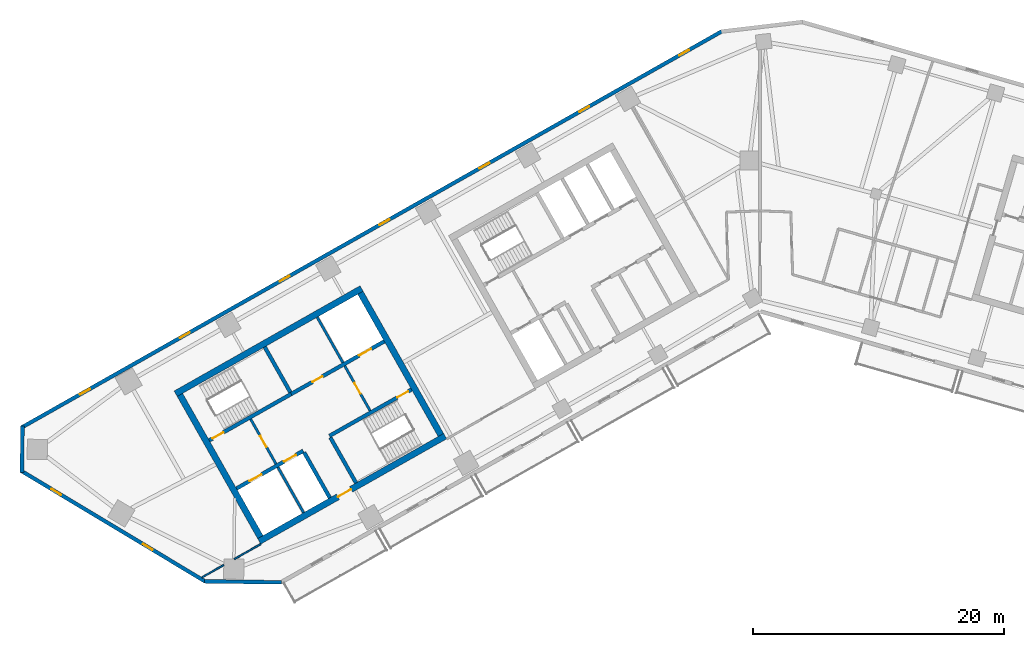
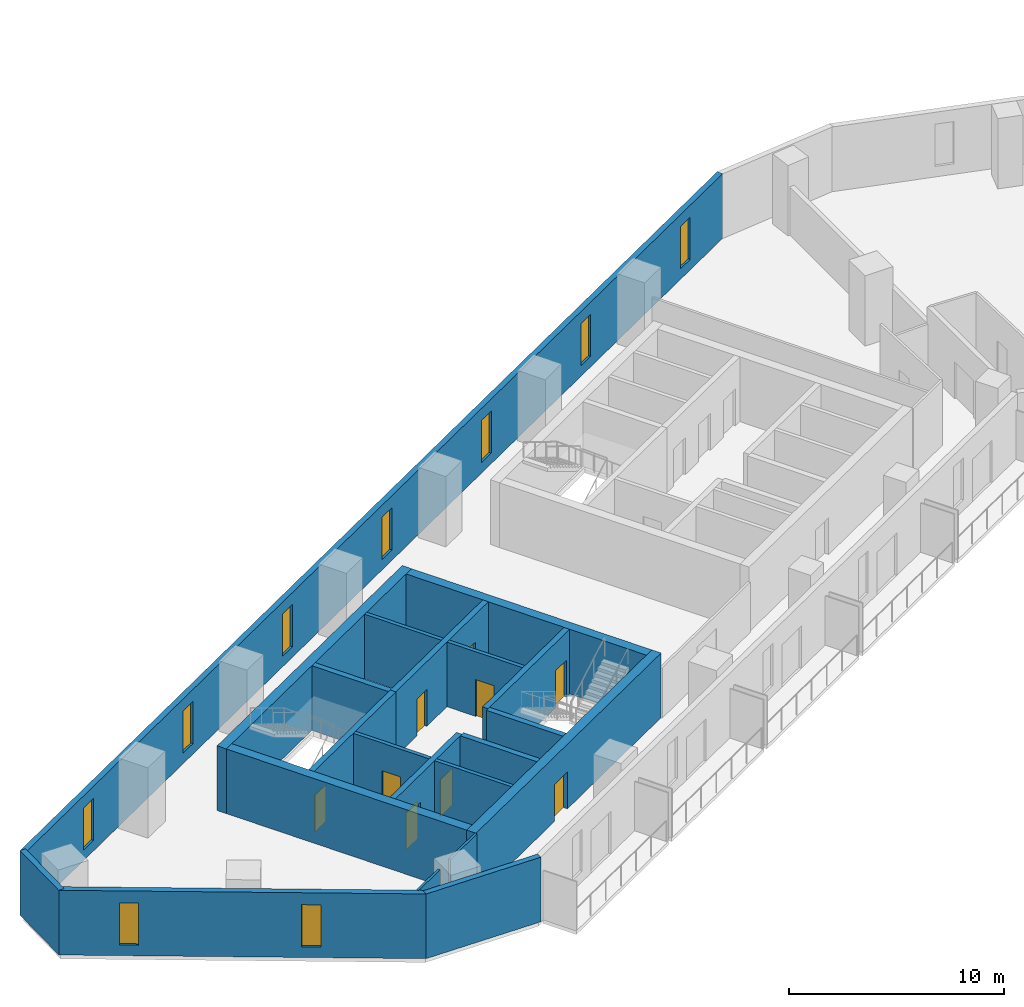
# One storey, part 3 of 9: 21 walls, 9 doors, 9 windows, 18 openings.
"""IFC4 building model written with IfcOpenShell, lengths in metres."""

from ifc_helpers import new_model, si_unit, direction, frame, frame_2d, origin, place, context, subcontext, project, spatial, rectangle, extrude, material, layer, layer_set, type_object, element, fill, save


model = new_model("IFC4")

# Units and contexts
model_context = context("Model", 3, precision=1e-05, world=origin(), true_north=direction((0.0, 1.0)))
body_context = subcontext(model_context, "Body", "Model", "MODEL_VIEW")
ifc_project = project(units=[si_unit("LENGTHUNIT", "METRE"), si_unit("AREAUNIT", "SQUARE_METRE"), si_unit("VOLUMEUNIT", "CUBIC_METRE"), si_unit("PLANEANGLEUNIT", "RADIAN"), si_unit("MASSUNIT", "GRAM", prefix="KILO")], contexts=[model_context])

# Site, building, storey
site_placement = place(None, origin())
site = spatial("IfcSite", under=ifc_project, at=site_placement, CompositionType="ELEMENT")
building_placement = place(site_placement, origin())
building = spatial("IfcBuilding", under=site, at=building_placement, Name="Binnacle Exchange Tower", CompositionType="ELEMENT")
storey_placement = place(building_placement, frame((0.0, 0.0, 190.89990234375)))
storey = spatial("IfcBuildingStorey", under=building, at=storey_placement, Name="L41", CompositionType="ELEMENT", Elevation=190.89990234375)

# Wall, openings, doors
ifc_material_1 = material(Name="Concrete C70/85", Category="concrete")
ifc_layer_1 = layer(ifc_material_1, 0.300048828125)
ifc_layer_set_1 = layer_set([ifc_layer_1], Name="Core wall - front 300")
wall_type_1 = type_object("IfcWallType", Name="Core wall - front 300", PredefinedType="SOLIDWALL", material=ifc_layer_set_1)
wall_1_placement = place(storey_placement, frame((-41.64306640625, 33.91162109375, 0.0), z_axis=(0.0, 0.0, 1.0), x_axis=(0.870343599782, 0.492444939378, 0.0)))
wall_1 = element("IfcWall", 1, at=wall_1_placement, inside=storey, type_object=wall_type_1, Name="Core wall CRWA2", PredefinedType="SOLIDWALL", context=body_context, shape_type="SweptSolid", body=[
    extrude(rectangle(XDim=6.10009765625, YDim=0.300048828125, at=frame_2d((3.050048828125, 0.0))), origin(), (0.0, 0.0, 1.0), 3.68017578125),
])
opening_1_placement = place(wall_1_placement, frame((1.199951171875, 0.0, 0.0)))
opening_1 = element("IfcOpeningElement", 2, at=opening_1_placement, cuts=wall_1, Name="Opening LD12", PredefinedType="OPENING", context=body_context, shape_type="SweptSolid", body=[
    extrude(rectangle(XDim=1.10009765625, YDim=2.10009765625, at=frame_2d((0.550048828125, 1.050048828125))), frame((0.0, 0.159912109375, 0.0), z_axis=(0.0, -1.0, 0.0), x_axis=(1.0, 0.0, 0.0)), (0.0, 0.0, 1.0), 0.320068359375),
])
opening_2_placement = place(wall_1_placement, frame((4.35009765625, 0.0, 0.0)))
opening_2 = element("IfcOpeningElement", 3, at=opening_2_placement, cuts=wall_1, Name="Opening LD8", PredefinedType="OPENING", context=body_context, shape_type="SweptSolid", body=[
    extrude(rectangle(XDim=1.10009765625, YDim=2.10009765625, at=frame_2d((0.550048828125, 1.050048828125))), frame((0.0, 0.159912109375, 0.0), z_axis=(0.0, -1.0, 0.0), x_axis=(1.0, 0.0, 0.0)), (0.0, 0.0, 1.0), 0.320068359375),
])
ifc_material_2 = material(Name="Steel door leaf", Category="steel")
door_type_1 = type_object("IfcDoorType", Name="Fire door - lift landing 1100", OperationType="NOTDEFINED", PredefinedType="DOOR", material=ifc_material_2)
door_1_placement = place(opening_1_placement, origin())
door_1 = element("IfcDoor", 4, at=door_1_placement, inside=storey, type_object=door_type_1, Name="Landing door LD12 L41", OperationType="DOUBLE_DOOR_SLIDING", OverallHeight=2.10009765625, OverallWidth=1.10009765625, PredefinedType="DOOR", context=body_context, shape_type="SweptSolid", body=[
    extrude(rectangle(XDim=1.10009765625, YDim=2.10009765625, at=frame_2d((0.550048828125, 1.050048828125))), frame((0.0, 0.02490234375, 0.0), z_axis=(0.0, -1.0, 0.0), x_axis=(1.0, 0.0, 0.0)), (0.0, 0.0, 1.0), 0.050048828125),
])
fill(opening_1, door_1)
door_2_placement = place(opening_2_placement, origin())
door_2 = element("IfcDoor", 5, at=door_2_placement, inside=storey, type_object=door_type_1, Name="Landing door LD8 L41", OperationType="DOUBLE_DOOR_SLIDING", OverallHeight=2.10009765625, OverallWidth=1.10009765625, PredefinedType="DOOR", context=body_context, shape_type="SweptSolid", body=[
    extrude(rectangle(XDim=1.10009765625, YDim=2.10009765625, at=frame_2d((0.550048828125, 1.050048828125))), frame((0.0, 0.02490234375, 0.0), z_axis=(0.0, -1.0, 0.0), x_axis=(1.0, 0.0, 0.0)), (0.0, 0.0, 1.0), 0.050048828125),
])
fill(opening_2, door_2)

wall_2_placement = place(storey_placement, frame((-37.281982421875, 41.4345703125, 0.0), z_axis=(0.0, 0.0, 1.0), x_axis=(0.870356271124, 0.492422543467, 0.0)))
wall_2 = element("IfcWall", 6, at=wall_2_placement, inside=storey, type_object=wall_type_1, Name="Core wall CRWA5", PredefinedType="SOLIDWALL", context=body_context, shape_type="SweptSolid", body=[
    extrude(rectangle(XDim=8.5, YDim=0.300048828125, at=frame_2d((4.25, 0.0))), origin(), (0.0, 0.0, 1.0), 3.68017578125),
])
opening_3_placement = place(wall_2_placement, frame((6.199951171875, 0.0, 0.0)))
opening_3 = element("IfcOpeningElement", 7, at=opening_3_placement, cuts=wall_2, Name="Opening LD13", PredefinedType="OPENING", context=body_context, shape_type="SweptSolid", body=[
    extrude(rectangle(XDim=1.10009765625, YDim=2.10009765625, at=frame_2d((0.550048828125, 1.050048828125))), frame((0.0, 0.159912109375, 0.0), z_axis=(0.0, -1.0, 0.0), x_axis=(1.0, 0.0, 0.0)), (0.0, 0.0, 1.0), 0.320068359375),
])
opening_4_placement = place(wall_2_placement, frame((1.949951171875, 0.0, 0.0)))
opening_4 = element("IfcOpeningElement", 8, at=opening_4_placement, cuts=wall_2, Name="Opening DA10", PredefinedType="OPENING", context=body_context, shape_type="SweptSolid", body=[
    extrude(rectangle(XDim=0.89990234375, YDim=2.10009765625, at=frame_2d((0.449951171875, 1.050048828125))), frame((0.0, 0.159912109375, 0.0), z_axis=(0.0, -1.0, 0.0), x_axis=(1.0, 0.0, 0.0)), (0.0, 0.0, 1.0), 0.320068359375),
])
door_3_placement = place(opening_3_placement, origin())
door_3 = element("IfcDoor", 9, at=door_3_placement, inside=storey, type_object=door_type_1, Name="Landing door LD13 L41", OperationType="DOUBLE_DOOR_SLIDING", OverallHeight=2.10009765625, OverallWidth=1.10009765625, PredefinedType="DOOR", context=body_context, shape_type="SweptSolid", body=[
    extrude(rectangle(XDim=1.10009765625, YDim=2.10009765625, at=frame_2d((0.550048828125, 1.050048828125))), frame((0.0, 0.02490234375, 0.0), z_axis=(0.0, -1.0, 0.0), x_axis=(1.0, 0.0, 0.0)), (0.0, 0.0, 1.0), 0.050048828125),
])
fill(opening_3, door_3)
door_type_2 = type_object("IfcDoorType", Name="Fire door 900", OperationType="NOTDEFINED", PredefinedType="DOOR", material=ifc_material_2)
door_4_placement = place(opening_4_placement, origin())
door_4 = element("IfcDoor", 10, at=door_4_placement, inside=storey, type_object=door_type_2, Name="Core room door LINEN AND SUPPLIES STORE", OperationType="SINGLE_SWING_LEFT", OverallHeight=2.10009765625, OverallWidth=0.89990234375, PredefinedType="DOOR", context=body_context, shape_type="SweptSolid", body=[
    extrude(rectangle(XDim=0.89990234375, YDim=2.10009765625, at=frame_2d((0.449951171875, 1.050048828125))), frame((0.0, 0.02490234375, 0.0), z_axis=(0.0, -1.0, 0.0), x_axis=(1.0, 0.0, 0.0)), (0.0, 0.0, 1.0), 0.050048828125),
])
fill(opening_4, door_4)

# Wall
wall_3_placement = place(storey_placement, frame((-36.260009765625, 36.784912109375, 0.0), z_axis=(0.0, 0.0, 1.0), x_axis=(0.492421666909, -0.870356767055, 0.0)))
element("IfcWall", 11, at=wall_3_placement, inside=storey, type_object=wall_type_1, Name="Core wall CRWA13", PredefinedType="SOLIDWALL", context=body_context, shape_type="SweptSolid", body=[
    extrude(rectangle(XDim=4.14990234375, YDim=0.300048828125, at=frame_2d((2.074951171875, 0.0))), origin(), (0.0, 0.0, 1.0), 3.68017578125),
])

# Wall, opening, door
ifc_layer_2 = layer(ifc_material_1, 0.5)
ifc_layer_set_2 = layer_set([ifc_layer_2], Name="Core wall - outer 500")
wall_type_2 = type_object("IfcWallType", Name="Core wall - outer 500", PredefinedType="SOLIDWALL", material=ifc_layer_set_2)
wall_4_placement = place(storey_placement, frame((-39.837646484375, 29.705322265625, 0.0), z_axis=(0.0, 0.0, 1.0), x_axis=(0.870350116061, 0.492433422375, 0.0)))
wall_4 = element("IfcWall", 12, at=wall_4_placement, inside=storey, type_object=wall_type_2, Name="Core wall CRWA1", PredefinedType="SOLIDWALL", context=body_context, shape_type="SweptSolid", body=[
    extrude(rectangle(XDim=17.0, YDim=0.5, at=frame_2d((8.5, 0.0))), origin(), (0.0, 0.0, 1.0), 3.68017578125),
])
opening_5_placement = place(wall_4_placement, frame((7.199951171875, 0.0, 0.0)))
opening_5 = element("IfcOpeningElement", 13, at=opening_5_placement, cuts=wall_4, Name="Opening DA7", PredefinedType="OPENING", context=body_context, shape_type="SweptSolid", body=[
    extrude(rectangle(XDim=1.199951171875, YDim=2.10009765625, at=frame_2d((0.60009765625, 1.050048828125))), frame((0.0, 0.260009765625, 0.0), z_axis=(0.0, -1.0, 0.0), x_axis=(1.0, 0.0, 0.0)), (0.0, 0.0, 1.0), 0.52001953125),
])
door_type_3 = type_object("IfcDoorType", Name="Fire door 1200", OperationType="NOTDEFINED", PredefinedType="DOOR", material=ifc_material_2)
door_5_placement = place(opening_5_placement, frame((1.199951171875, 0.0, 0.0), z_axis=(0.0, 0.0, 1.0), x_axis=(-1.0, 0.0, 0.0)))
door_5 = element("IfcDoor", 14, at=door_5_placement, inside=storey, type_object=door_type_3, Name="Lift lobby entrance door core A", OperationType="SINGLE_SWING_RIGHT", OverallHeight=2.10009765625, OverallWidth=1.199951171875, PredefinedType="DOOR", context=body_context, shape_type="SweptSolid", body=[
    extrude(rectangle(XDim=1.199951171875, YDim=2.10009765625, at=frame_2d((0.60009765625, 1.050048828125))), frame((0.0, 0.02490234375, 0.0), z_axis=(0.0, -1.0, 0.0), x_axis=(1.0, 0.0, 0.0)), (0.0, 0.0, 1.0), 0.050048828125),
])
fill(opening_5, door_5)

# Walls
wall_5_placement = place(storey_placement, frame((-46.485595703125, 41.455078125, 0.0), z_axis=(0.0, 0.0, 1.0), x_axis=(0.870353598469, 0.492427267353, 0.0)))
element("IfcWall", 15, at=wall_5_placement, inside=storey, type_object=wall_type_2, Name="Core wall CRWA6", PredefinedType="SOLIDWALL", context=body_context, shape_type="SweptSolid", body=[
    extrude(rectangle(XDim=17.000244140625, YDim=0.5, at=frame_2d((8.5, 0.0))), origin(), (0.0, 0.0, 1.0), 3.68017578125),
])
for number, where, z_axis, x_axis, name in (
    (16, (-46.144775390625, 41.360595703125, 0.0), (0.0, 0.0, 1.0), (0.492435316254, -0.870349044525, 0.0), "Core wall CRWA7"),
    (17, (-31.783935546875, 49.485595703125, 0.0), (0.0, 0.0, 1.0), (0.492435316254, -0.870349044525, 0.0), "Core wall CRWA22"),
):
    element("IfcWall", number, at=place(storey_placement, frame(where, z_axis=z_axis, x_axis=x_axis)), inside=storey, type_object=wall_type_2, Name=name, PredefinedType="SOLIDWALL", context=body_context, shape_type="SweptSolid", body=[
        extrude(rectangle(XDim=13.0, YDim=0.5, at=frame_2d((6.5, 0.0))), origin(), (0.0, 0.0, 1.0), 3.68017578125),
    ])

# Wall, opening, door
ifc_layer_3 = layer(ifc_material_1, 0.300048828125)
ifc_layer_set_3 = layer_set([ifc_layer_3], Name="Core wall - stair 300")
wall_type_3 = type_object("IfcWallType", Name="Core wall - stair 300", PredefinedType="SOLIDWALL", material=ifc_layer_set_3)
wall_6_placement = place(storey_placement, frame((-34.2451171875, 38.097412109375, 0.0), z_axis=(0.0, 0.0, 1.0), x_axis=(0.870364520461, 0.492407962489, 0.0)))
wall_6 = element("IfcWall", 18, at=wall_6_placement, inside=storey, type_object=wall_type_3, Name="Core wall CRWA3", PredefinedType="SOLIDWALL", context=body_context, shape_type="SweptSolid", body=[
    extrude(rectangle(XDim=7.5, YDim=0.300048828125, at=frame_2d((3.75, 0.0))), origin(), (0.0, 0.0, 1.0), 3.68017578125),
])
opening_6_placement = place(wall_6_placement, frame((6.199951171875, 0.0, 0.0)))
opening_6 = element("IfcOpeningElement", 19, at=opening_6_placement, cuts=wall_6, Name="Opening DA2", PredefinedType="OPENING", context=body_context, shape_type="SweptSolid", body=[
    extrude(rectangle(XDim=1.0, YDim=2.10009765625, at=frame_2d((0.5, 1.050048828125))), frame((0.0, 0.159912109375, 0.0), z_axis=(0.0, -1.0, 0.0), x_axis=(1.0, 0.0, 0.0)), (0.0, 0.0, 1.0), 0.320068359375),
])
door_type_4 = type_object("IfcDoorType", Name="Fire door 1000", OperationType="NOTDEFINED", PredefinedType="DOOR", material=ifc_material_2)
door_6_placement = place(opening_6_placement, frame((1.0, 0.0, 0.0), z_axis=(0.0, 0.0, 1.0), x_axis=(-1.0, 0.0, 0.0)))
door_6 = element("IfcDoor", 20, at=door_6_placement, inside=storey, type_object=door_type_4, Name="Stair door ST-A2", OperationType="SINGLE_SWING_LEFT", OverallHeight=2.10009765625, OverallWidth=1.0, PredefinedType="DOOR", context=body_context, shape_type="SweptSolid", body=[
    extrude(rectangle(XDim=1.0, YDim=2.10009765625, at=frame_2d((0.5, 1.050048828125))), frame((0.0, 0.02490234375, 0.0), z_axis=(0.0, -1.0, 0.0), x_axis=(1.0, 0.0, 0.0)), (0.0, 0.0, 1.0), 0.050048828125),
])
fill(opening_6, door_6)

wall_7_placement = place(storey_placement, frame((-43.809814453125, 37.7412109375, 0.0), z_axis=(0.0, 0.0, 1.0), x_axis=(0.870350569555, 0.492432620848, 0.0)))
wall_7 = element("IfcWall", 21, at=wall_7_placement, inside=storey, type_object=wall_type_3, Name="Core wall CRWA4", PredefinedType="SOLIDWALL", context=body_context, shape_type="SweptSolid", body=[
    extrude(rectangle(XDim=7.500244140625, YDim=0.300048828125, at=frame_2d((3.75, 0.0))), origin(), (0.0, 0.0, 1.0), 3.68017578125),
])
opening_7_placement = place(wall_7_placement, frame((0.2998046875, 0.0, 0.0)))
opening_7 = element("IfcOpeningElement", 22, at=opening_7_placement, cuts=wall_7, Name="Opening DA1", PredefinedType="OPENING", context=body_context, shape_type="SweptSolid", body=[
    extrude(rectangle(XDim=1.0, YDim=2.10009765625, at=frame_2d((0.5, 1.050048828125))), frame((0.0, 0.159912109375, 0.0), z_axis=(0.0, -1.0, 0.0), x_axis=(1.0, 0.0, 0.0)), (0.0, 0.0, 1.0), 0.320068359375),
])
door_7_placement = place(opening_7_placement, origin())
door_7 = element("IfcDoor", 23, at=door_7_placement, inside=storey, type_object=door_type_4, Name="Stair door ST-A1", OperationType="SINGLE_SWING_LEFT", OverallHeight=2.10009765625, OverallWidth=1.0, PredefinedType="DOOR", context=body_context, shape_type="SweptSolid", body=[
    extrude(rectangle(XDim=1.0, YDim=2.10009765625, at=frame_2d((0.5, 1.050048828125))), frame((0.0, 0.02490234375, 0.0), z_axis=(0.0, -1.0, 0.0), x_axis=(1.0, 0.0, 0.0)), (0.0, 0.0, 1.0), 0.050048828125),
])
fill(opening_7, door_7)

# Walls
for number, where, z_axis, x_axis, name in (
    (24, (-39.3994140625, 45.177001953125, 0.0), (0.0, 0.0, 1.0), (0.492396453737, -0.870371031427, 0.0), "Core wall CRWA14"),
    (25, (-34.171142578125, 37.966796875, 0.0), (0.0, 0.0, 1.0), (0.492396453737, -0.870371031427, 0.0), "Core wall CRWA16"),
):
    element("IfcWall", number, at=place(storey_placement, frame(where, z_axis=z_axis, x_axis=x_axis)), inside=storey, type_object=wall_type_3, Name=name, PredefinedType="SOLIDWALL", context=body_context, shape_type="SweptSolid", body=[
        extrude(rectangle(XDim=4.14990234375, YDim=0.300048828125, at=frame_2d((2.074951171875, 0.0))), origin(), (0.0, 0.0, 1.0), 3.68017578125),
    ])
ifc_material_3 = material(Name="Bronze aluminium cladding", Category="aluminium")
ifc_layer_4 = layer(ifc_material_3, 0.300048828125)
ifc_layer_set_4 = layer_set([ifc_layer_4], Name="External wall - spandrel 300")
wall_type_4 = type_object("IfcWallType", Name="External wall - spandrel 300", PredefinedType="STANDARD", material=ifc_layer_set_4)
wall_8_placement = place(storey_placement, frame((-38.057373046875, 26.44482421875, 0.0), z_axis=(0.0, 0.0, 1.0), x_axis=(-0.999914086342, 0.013108010296, 0.0)))
element("IfcWall", 26, at=wall_8_placement, inside=storey, type_object=wall_type_4, Name="External wall EW-G00 L41", PredefinedType="STANDARD", context=body_context, shape_type="SweptSolid", body=[
    extrude(rectangle(XDim=6.127685546875, YDim=0.300048828125, at=frame_2d((3.06396484375, 0.0))), origin(), (0.0, 0.0, 1.0), 3.68017578125),
])

# Wall, openings, windows
wall_9_placement = place(storey_placement, frame((-58.744873046875, 38.763671875, 0.0), z_axis=(0.0, 0.0, 1.0), x_axis=(0.870355811726, 0.492423355453, 0.0)))
wall_9 = element("IfcWall", 27, at=wall_9_placement, inside=storey, type_object=wall_type_4, Name="External wall EW-G08 L41", PredefinedType="STANDARD", context=body_context, shape_type="SweptSolid", body=[
    extrude(rectangle(XDim=64.025390625, YDim=0.300048828125, at=frame_2d((32.0126953125, 0.0))), origin(), (0.0, 0.0, 1.0), 3.68017578125),
])
opening_8_placement = place(wall_9_placement, frame((60.12158203125, 0.0, 0.60009765625)))
opening_8 = element("IfcOpeningElement", 28, at=opening_8_placement, cuts=wall_9, Name="Opening WS3", PredefinedType="OPENING", context=body_context, shape_type="SweptSolid", body=[
    extrude(rectangle(XDim=0.89990234375, YDim=2.39990234375, at=frame_2d((0.449951171875, 1.199951171875))), frame((0.0, 0.159912109375, 0.0), z_axis=(0.0, -1.0, 0.0), x_axis=(1.0, 0.0, 0.0)), (0.0, 0.0, 1.0), 0.320068359375),
])
opening_9_placement = place(wall_9_placement, frame((50.99169921875, 0.0, 0.60009765625)))
opening_9 = element("IfcOpeningElement", 29, at=opening_9_placement, cuts=wall_9, Name="Opening WS3", PredefinedType="OPENING", context=body_context, shape_type="SweptSolid", body=[
    extrude(rectangle(XDim=0.89990234375, YDim=2.39990234375, at=frame_2d((0.449951171875, 1.199951171875))), frame((0.0, 0.159912109375, 0.0), z_axis=(0.0, -1.0, 0.0), x_axis=(1.0, 0.0, 0.0)), (0.0, 0.0, 1.0), 0.320068359375),
])
opening_10_placement = place(wall_9_placement, frame((41.86181640625, 0.0, 0.60009765625)))
opening_10 = element("IfcOpeningElement", 30, at=opening_10_placement, cuts=wall_9, Name="Opening WS3", PredefinedType="OPENING", context=body_context, shape_type="SweptSolid", body=[
    extrude(rectangle(XDim=0.89990234375, YDim=2.39990234375, at=frame_2d((0.449951171875, 1.199951171875))), frame((0.0, 0.159912109375, 0.0), z_axis=(0.0, -1.0, 0.0), x_axis=(1.0, 0.0, 0.0)), (0.0, 0.0, 1.0), 0.320068359375),
])
opening_11_placement = place(wall_9_placement, frame((32.73193359375, 0.0, 0.60009765625)))
opening_11 = element("IfcOpeningElement", 31, at=opening_11_placement, cuts=wall_9, Name="Opening WS3", PredefinedType="OPENING", context=body_context, shape_type="SweptSolid", body=[
    extrude(rectangle(XDim=0.89990234375, YDim=2.39990234375, at=frame_2d((0.449951171875, 1.199951171875))), frame((0.0, 0.159912109375, 0.0), z_axis=(0.0, -1.0, 0.0), x_axis=(1.0, 0.0, 0.0)), (0.0, 0.0, 1.0), 0.320068359375),
])
opening_12_placement = place(wall_9_placement, frame((23.60205078125, 0.0, 0.60009765625)))
opening_12 = element("IfcOpeningElement", 32, at=opening_12_placement, cuts=wall_9, Name="Opening WS3", PredefinedType="OPENING", context=body_context, shape_type="SweptSolid", body=[
    extrude(rectangle(XDim=0.89990234375, YDim=2.39990234375, at=frame_2d((0.449951171875, 1.199951171875))), frame((0.0, 0.159912109375, 0.0), z_axis=(0.0, -1.0, 0.0), x_axis=(1.0, 0.0, 0.0)), (0.0, 0.0, 1.0), 0.320068359375),
])
opening_13_placement = place(wall_9_placement, frame((14.47216796875, 0.0, 0.60009765625)))
opening_13 = element("IfcOpeningElement", 33, at=opening_13_placement, cuts=wall_9, Name="Opening WS3", PredefinedType="OPENING", context=body_context, shape_type="SweptSolid", body=[
    extrude(rectangle(XDim=0.89990234375, YDim=2.39990234375, at=frame_2d((0.449951171875, 1.199951171875))), frame((0.0, 0.159912109375, 0.0), z_axis=(0.0, -1.0, 0.0), x_axis=(1.0, 0.0, 0.0)), (0.0, 0.0, 1.0), 0.320068359375),
])
opening_14_placement = place(wall_9_placement, frame((5.34228515625, 0.0, 0.60009765625)))
opening_14 = element("IfcOpeningElement", 34, at=opening_14_placement, cuts=wall_9, Name="Opening WS3", PredefinedType="OPENING", context=body_context, shape_type="SweptSolid", body=[
    extrude(rectangle(XDim=0.89990234375, YDim=2.39990234375, at=frame_2d((0.449951171875, 1.199951171875))), frame((0.0, 0.159912109375, 0.0), z_axis=(0.0, -1.0, 0.0), x_axis=(1.0, 0.0, 0.0)), (0.0, 0.0, 1.0), 0.320068359375),
])
ifc_material_4 = material(Name="Bronze anodised aluminium frame", Category="aluminium")
window_type = type_object("IfcWindowType", Name="WS3 WINDOW 900x2400", PartitioningType="SINGLE_PANEL", PredefinedType="WINDOW", material=ifc_material_4)
window_1_placement = place(opening_8_placement, origin())
window_1 = element("IfcWindow", 35, at=window_1_placement, inside=storey, type_object=window_type, Name="Window WS3 L41", OverallHeight=2.39990234375, OverallWidth=0.89990234375, PartitioningType="SINGLE_PANEL", PredefinedType="WINDOW", context=body_context, shape_type="SweptSolid", body=[
    extrude(rectangle(XDim=0.89990234375, YDim=2.39990234375, at=frame_2d((0.449951171875, 1.199951171875))), frame((0.0, 0.030029296875, 0.0), z_axis=(0.0, -1.0, 0.0), x_axis=(1.0, 0.0, 0.0)), (0.0, 0.0, 1.0), 0.06005859375),
])
fill(opening_8, window_1)
window_2_placement = place(opening_9_placement, origin())
window_2 = element("IfcWindow", 36, at=window_2_placement, inside=storey, type_object=window_type, Name="Window WS3 L41", OverallHeight=2.39990234375, OverallWidth=0.89990234375, PartitioningType="SINGLE_PANEL", PredefinedType="WINDOW", context=body_context, shape_type="SweptSolid", body=[
    extrude(rectangle(XDim=0.89990234375, YDim=2.39990234375, at=frame_2d((0.449951171875, 1.199951171875))), frame((0.0, 0.030029296875, 0.0), z_axis=(0.0, -1.0, 0.0), x_axis=(1.0, 0.0, 0.0)), (0.0, 0.0, 1.0), 0.06005859375),
])
fill(opening_9, window_2)
window_3_placement = place(opening_10_placement, origin())
window_3 = element("IfcWindow", 37, at=window_3_placement, inside=storey, type_object=window_type, Name="Window WS3 L41", OverallHeight=2.39990234375, OverallWidth=0.89990234375, PartitioningType="SINGLE_PANEL", PredefinedType="WINDOW", context=body_context, shape_type="SweptSolid", body=[
    extrude(rectangle(XDim=0.89990234375, YDim=2.39990234375, at=frame_2d((0.449951171875, 1.199951171875))), frame((0.0, 0.030029296875, 0.0), z_axis=(0.0, -1.0, 0.0), x_axis=(1.0, 0.0, 0.0)), (0.0, 0.0, 1.0), 0.06005859375),
])
fill(opening_10, window_3)
window_4_placement = place(opening_11_placement, origin())
window_4 = element("IfcWindow", 38, at=window_4_placement, inside=storey, type_object=window_type, Name="Window WS3 L41", OverallHeight=2.39990234375, OverallWidth=0.89990234375, PartitioningType="SINGLE_PANEL", PredefinedType="WINDOW", context=body_context, shape_type="SweptSolid", body=[
    extrude(rectangle(XDim=0.89990234375, YDim=2.39990234375, at=frame_2d((0.449951171875, 1.199951171875))), frame((0.0, 0.030029296875, 0.0), z_axis=(0.0, -1.0, 0.0), x_axis=(1.0, 0.0, 0.0)), (0.0, 0.0, 1.0), 0.06005859375),
])
fill(opening_11, window_4)
window_5_placement = place(opening_12_placement, origin())
window_5 = element("IfcWindow", 39, at=window_5_placement, inside=storey, type_object=window_type, Name="Window WS3 L41", OverallHeight=2.39990234375, OverallWidth=0.89990234375, PartitioningType="SINGLE_PANEL", PredefinedType="WINDOW", context=body_context, shape_type="SweptSolid", body=[
    extrude(rectangle(XDim=0.89990234375, YDim=2.39990234375, at=frame_2d((0.449951171875, 1.199951171875))), frame((0.0, 0.030029296875, 0.0), z_axis=(0.0, -1.0, 0.0), x_axis=(1.0, 0.0, 0.0)), (0.0, 0.0, 1.0), 0.06005859375),
])
fill(opening_12, window_5)
window_6_placement = place(opening_13_placement, origin())
window_6 = element("IfcWindow", 40, at=window_6_placement, inside=storey, type_object=window_type, Name="Window WS3 L41", OverallHeight=2.39990234375, OverallWidth=0.89990234375, PartitioningType="SINGLE_PANEL", PredefinedType="WINDOW", context=body_context, shape_type="SweptSolid", body=[
    extrude(rectangle(XDim=0.89990234375, YDim=2.39990234375, at=frame_2d((0.449951171875, 1.199951171875))), frame((0.0, 0.030029296875, 0.0), z_axis=(0.0, -1.0, 0.0), x_axis=(1.0, 0.0, 0.0)), (0.0, 0.0, 1.0), 0.06005859375),
])
fill(opening_13, window_6)
window_7_placement = place(opening_14_placement, origin())
window_7 = element("IfcWindow", 41, at=window_7_placement, inside=storey, type_object=window_type, Name="Window WS3 L41", OverallHeight=2.39990234375, OverallWidth=0.89990234375, PartitioningType="SINGLE_PANEL", PredefinedType="WINDOW", context=body_context, shape_type="SweptSolid", body=[
    extrude(rectangle(XDim=0.89990234375, YDim=2.39990234375, at=frame_2d((0.449951171875, 1.199951171875))), frame((0.0, 0.030029296875, 0.0), z_axis=(0.0, -1.0, 0.0), x_axis=(1.0, 0.0, 0.0)), (0.0, 0.0, 1.0), 0.06005859375),
])
fill(opening_14, window_7)

# Wall
wall_10_placement = place(storey_placement, frame((-58.717041015625, 35.19384765625, 0.0), z_axis=(0.0, 0.0, 1.0), x_axis=(0.013069053407, 0.999914596275, 0.0)))
element("IfcWall", 42, at=wall_10_placement, inside=storey, type_object=wall_type_4, Name="External wall EW-G09 L41", PredefinedType="STANDARD", context=body_context, shape_type="SweptSolid", body=[
    extrude(rectangle(XDim=3.69873046875, YDim=0.300048828125, at=frame_2d((1.849365234375, 0.0))), origin(), (0.0, 0.0, 1.0), 3.68017578125),
])

# Wall, openings, windows
wall_11_placement = place(storey_placement, frame((-44.109375, 26.503662109375, 0.0), z_axis=(0.0, 0.0, 1.0), x_axis=(-0.857169502585, 0.515034410344, 0.0)))
wall_11 = element("IfcWall", 43, at=wall_11_placement, inside=storey, type_object=wall_type_4, Name="External wall EW-G10 L41", PredefinedType="STANDARD", context=body_context, shape_type="SweptSolid", body=[
    extrude(rectangle(XDim=17.126708984375, YDim=0.300048828125, at=frame_2d((8.5634765625, 0.0))), origin(), (0.0, 0.0, 1.0), 3.68017578125),
])
opening_15_placement = place(wall_11_placement, frame((13.403076171875, 0.0, 0.60009765625)))
opening_15 = element("IfcOpeningElement", 44, at=opening_15_placement, cuts=wall_11, Name="Opening WS3", PredefinedType="OPENING", context=body_context, shape_type="SweptSolid", body=[
    extrude(rectangle(XDim=0.89990234375, YDim=2.39990234375, at=frame_2d((0.449951171875, 1.199951171875))), frame((0.0, 0.159912109375, 0.0), z_axis=(0.0, -1.0, 0.0), x_axis=(1.0, 0.0, 0.0)), (0.0, 0.0, 1.0), 0.320068359375),
])
opening_16_placement = place(wall_11_placement, frame((4.903076171875, 0.0, 0.60009765625)))
opening_16 = element("IfcOpeningElement", 45, at=opening_16_placement, cuts=wall_11, Name="Opening WS3", PredefinedType="OPENING", context=body_context, shape_type="SweptSolid", body=[
    extrude(rectangle(XDim=0.89990234375, YDim=2.39990234375, at=frame_2d((0.449951171875, 1.199951171875))), frame((0.0, 0.159912109375, 0.0), z_axis=(0.0, -1.0, 0.0), x_axis=(1.0, 0.0, 0.0)), (0.0, 0.0, 1.0), 0.320068359375),
])
window_8_placement = place(opening_15_placement, origin())
window_8 = element("IfcWindow", 46, at=window_8_placement, inside=storey, type_object=window_type, Name="Window WS3 L41", OverallHeight=2.39990234375, OverallWidth=0.89990234375, PartitioningType="SINGLE_PANEL", PredefinedType="WINDOW", context=body_context, shape_type="SweptSolid", body=[
    extrude(rectangle(XDim=0.89990234375, YDim=2.39990234375, at=frame_2d((0.449951171875, 1.199951171875))), frame((0.0, 0.030029296875, 0.0), z_axis=(0.0, -1.0, 0.0), x_axis=(1.0, 0.0, 0.0)), (0.0, 0.0, 1.0), 0.06005859375),
])
fill(opening_15, window_8)
window_9_placement = place(opening_16_placement, origin())
window_9 = element("IfcWindow", 47, at=window_9_placement, inside=storey, type_object=window_type, Name="Window WS3 L41", OverallHeight=2.39990234375, OverallWidth=0.89990234375, PartitioningType="SINGLE_PANEL", PredefinedType="WINDOW", context=body_context, shape_type="SweptSolid", body=[
    extrude(rectangle(XDim=0.89990234375, YDim=2.39990234375, at=frame_2d((0.449951171875, 1.199951171875))), frame((0.0, 0.030029296875, 0.0), z_axis=(0.0, -1.0, 0.0), x_axis=(1.0, 0.0, 0.0)), (0.0, 0.0, 1.0), 0.06005859375),
])
fill(opening_16, window_9)

# Wall, opening, door
ifc_material_5 = material(Name="Masonry block wall", Category="masonry")
ifc_layer_5 = layer(ifc_material_5, 0.199951171875)
ifc_layer_set_5 = layer_set([ifc_layer_5], Name="Fire wall - vestibule 200")
wall_type_5 = type_object("IfcWallType", Name="Fire wall - vestibule 200", PredefinedType="PARTITIONING", material=ifc_layer_set_5)
wall_12_placement = place(storey_placement, frame((-40.515625, 39.4326171875, 0.0), z_axis=(0.0, 0.0, 1.0), x_axis=(0.492453559952, -0.87033872216, 0.0)))
wall_12 = element("IfcWall", 48, at=wall_12_placement, inside=storey, type_object=wall_type_5, Name="Core wall CRWA10", PredefinedType="PARTITIONING", context=body_context, shape_type="SweptSolid", body=[
    extrude(rectangle(XDim=4.099853515625, YDim=0.199951171875, at=frame_2d((2.0498046875, 0.0))), origin(), (0.0, 0.0, 1.0), 3.68017578125),
])
opening_17_placement = place(wall_12_placement, frame((1.550048828125, 0.0, 0.0)))
opening_17 = element("IfcOpeningElement", 49, at=opening_17_placement, cuts=wall_12, Name="Opening DA3", PredefinedType="OPENING", context=body_context, shape_type="SweptSolid", body=[
    extrude(rectangle(XDim=1.0, YDim=2.10009765625, at=frame_2d((0.5, 1.050048828125))), frame((0.0, 0.10986328125, 0.0), z_axis=(0.0, -1.0, 0.0), x_axis=(1.0, 0.0, 0.0)), (0.0, 0.0, 1.0), 0.219970703125),
])
door_8_placement = place(opening_17_placement, frame((1.0, 0.0, 0.0), z_axis=(0.0, 0.0, 1.0), x_axis=(-1.0, 0.0, 0.0)))
door_8 = element("IfcDoor", 50, at=door_8_placement, inside=storey, type_object=door_type_4, Name="Vestibule door VEST-W", OperationType="SINGLE_SWING_LEFT", OverallHeight=2.10009765625, OverallWidth=1.0, PredefinedType="DOOR", context=body_context, shape_type="SweptSolid", body=[
    extrude(rectangle(XDim=1.0, YDim=2.10009765625, at=frame_2d((0.5, 1.050048828125))), frame((0.0, 0.02490234375, 0.0), z_axis=(0.0, -1.0, 0.0), x_axis=(1.0, 0.0, 0.0)), (0.0, 0.0, 1.0), 0.050048828125),
])
fill(opening_17, door_8)

wall_13_placement = place(storey_placement, frame((-33.030517578125, 43.66748046875, 0.0), z_axis=(0.0, 0.0, 1.0), x_axis=(0.492408451753, -0.87036424366, 0.0)))
wall_13 = element("IfcWall", 51, at=wall_13_placement, inside=storey, type_object=wall_type_5, Name="Core wall CRWA19", PredefinedType="PARTITIONING", context=body_context, shape_type="SweptSolid", body=[
    extrude(rectangle(XDim=4.099853515625, YDim=0.199951171875, at=frame_2d((2.0498046875, 0.0))), origin(), (0.0, 0.0, 1.0), 3.68017578125),
])
opening_18_placement = place(wall_13_placement, frame((1.550048828125, 0.0, 0.0)))
opening_18 = element("IfcOpeningElement", 52, at=opening_18_placement, cuts=wall_13, Name="Opening DA4", PredefinedType="OPENING", context=body_context, shape_type="SweptSolid", body=[
    extrude(rectangle(XDim=1.0, YDim=2.10009765625, at=frame_2d((0.5, 1.050048828125))), frame((0.0, 0.10986328125, 0.0), z_axis=(0.0, -1.0, 0.0), x_axis=(1.0, 0.0, 0.0)), (0.0, 0.0, 1.0), 0.219970703125),
])
door_9_placement = place(opening_18_placement, origin())
door_9 = element("IfcDoor", 53, at=door_9_placement, inside=storey, type_object=door_type_4, Name="Vestibule door VEST-E", OperationType="SINGLE_SWING_RIGHT", OverallHeight=2.10009765625, OverallWidth=1.0, PredefinedType="DOOR", context=body_context, shape_type="SweptSolid", body=[
    extrude(rectangle(XDim=1.0, YDim=2.10009765625, at=frame_2d((0.5, 1.050048828125))), frame((0.0, 0.02490234375, 0.0), z_axis=(0.0, -1.0, 0.0), x_axis=(1.0, 0.0, 0.0)), (0.0, 0.0, 1.0), 0.050048828125),
])
fill(opening_18, door_9)

# Walls
ifc_material_6 = material(Name="Gypsum partition")
ifc_layer_6 = layer(ifc_material_6, 0.125)
ifc_layer_set_6 = layer_set([ifc_layer_6], Name="Partition 125")
wall_type_6 = type_object("IfcWallType", Name="Partition 125", PredefinedType="PARTITIONING", material=ifc_layer_set_6)
wall_14_placement = place(storey_placement, frame((-44.385986328125, 26.844970703125, 0.0), z_axis=(0.0, 0.0, 1.0), x_axis=(0.870453184796, 0.492251209322, 0.0)))
element("IfcWall", 54, at=wall_14_placement, inside=storey, type_object=wall_type_6, Name="Partition W01", PredefinedType="PARTITIONING", context=body_context, shape_type="SweptSolid", body=[
    extrude(rectangle(XDim=1.99072265625, YDim=0.125, at=frame_2d((0.995361328125, 0.0))), origin(), (0.0, 0.0, 1.0), 3.68017578125),
])
wall_15_placement = place(storey_placement, frame((-41.823974609375, 28.2939453125, 0.0), z_axis=(0.0, 0.0, 1.0), x_axis=(0.870189216305, 0.492717695873, 0.0)))
element("IfcWall", 55, at=wall_15_placement, inside=storey, type_object=wall_type_6, Name="Partition W02", PredefinedType="PARTITIONING", context=body_context, shape_type="SweptSolid", body=[
    extrude(rectangle(XDim=2.423583984375, YDim=0.125, at=frame_2d((1.2119140625, 0.0))), origin(), (0.0, 0.0, 1.0), 3.68017578125),
])
ifc_layer_7 = layer(ifc_material_5, 0.199951171875)
ifc_layer_set_7 = layer_set([ifc_layer_7], Name="Shaft wall 200")
wall_type_7 = type_object("IfcWallType", Name="Shaft wall 200", PredefinedType="SOLIDWALL", material=ifc_layer_set_7)
for number, where, z_axis, x_axis, name in (
    (56, (-38.348876953125, 35.603271484375, 0.0), (0.0, 0.0, 1.0), (0.492396453737, -0.870371031427, 0.0), "Core wall CRWA9"),
    (57, (-35.2216796875, 47.54052734375, 0.0), (0.0, 0.0, 1.0), (0.492421666909, -0.870356767055, 0.0), "Core wall CRWA21"),
):
    element("IfcWall", number, at=place(storey_placement, frame(where, z_axis=z_axis, x_axis=x_axis)), inside=storey, type_object=wall_type_7, Name=name, PredefinedType="SOLIDWALL", context=body_context, shape_type="SweptSolid", body=[
        extrude(rectangle(XDim=4.14990234375, YDim=0.199951171875, at=frame_2d((2.074951171875, 0.0))), origin(), (0.0, 0.0, 1.0), 3.68017578125),
    ])

save(model, "model.ifc")
